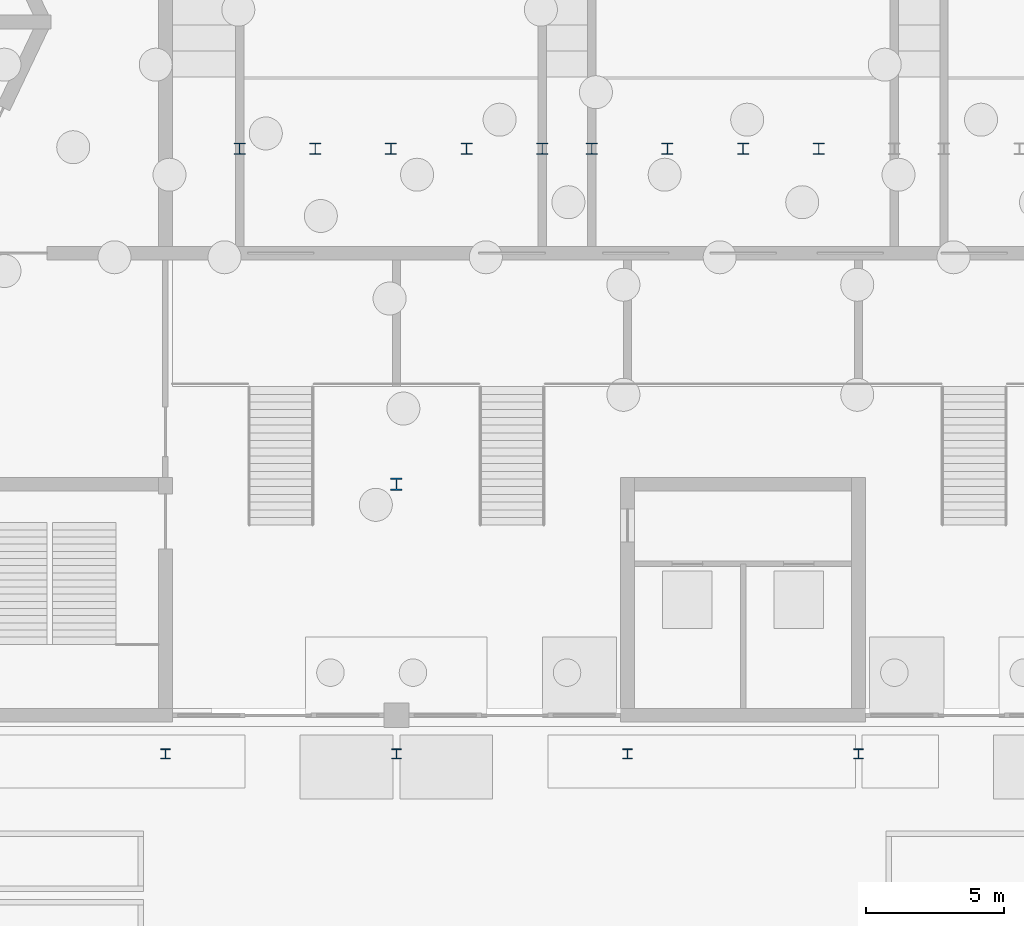
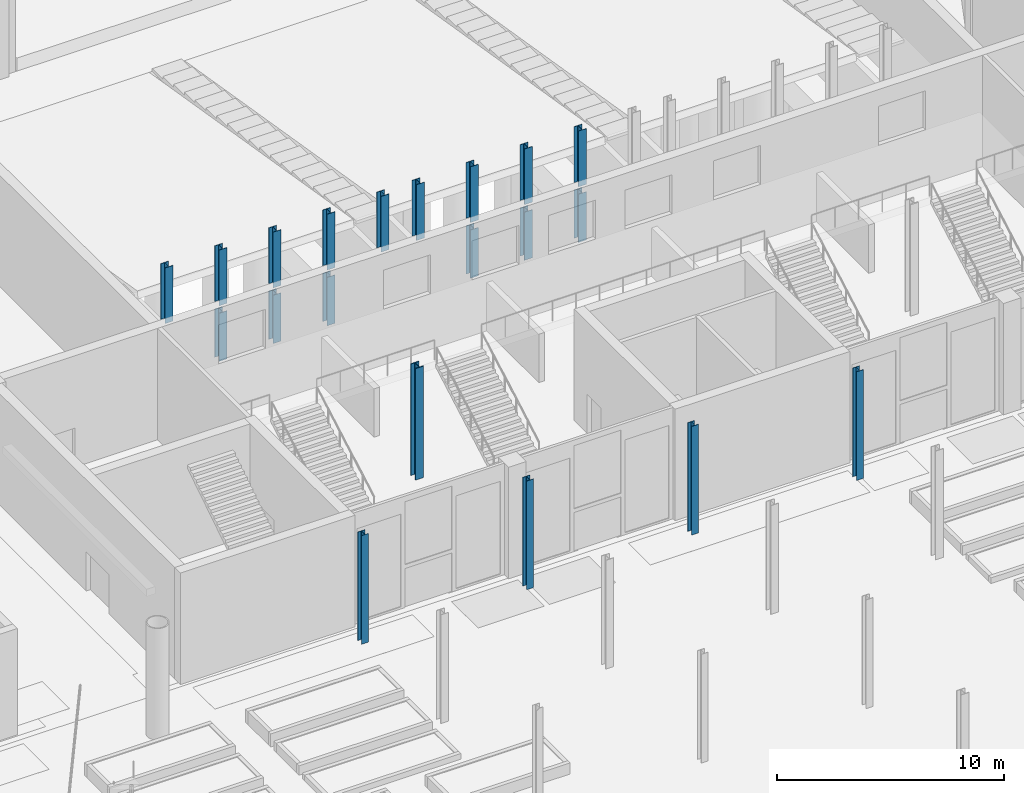
# One storey, part 24 of 108: 20 columns.
"""IFC4 building model written with IfcOpenShell, lengths in metres."""

from ifc_helpers import new_model, si_unit, direction, frame, origin, origin_2d, place, context, subcontext, project, spatial, i_section, extrude, material, material_profile, profile_set, type_object, element, save


model = new_model("IFC4")

# Units and contexts
model_context = context("Model", 3, precision=1e-05, world=origin(), true_north=direction((0.0, 1.0)))
body_context = subcontext(model_context, "Body", "Model", "MODEL_VIEW")
ifc_project = project(units=[si_unit("LENGTHUNIT", "METRE"), si_unit("AREAUNIT", "SQUARE_METRE"), si_unit("VOLUMEUNIT", "CUBIC_METRE"), si_unit("PLANEANGLEUNIT", "RADIAN"), si_unit("MASSUNIT", "GRAM", prefix="KILO")], contexts=[model_context])

# Site, building, storey
site_placement = place(None, origin())
site = spatial("IfcSite", under=ifc_project, at=site_placement, CompositionType="ELEMENT")
building_placement = place(site_placement, origin())
building = spatial("IfcBuilding", under=site, at=building_placement, Name="Cresset Court Congress Hotel", CompositionType="ELEMENT")
storey_placement = place(building_placement, origin())
storey = spatial("IfcBuildingStorey", under=building, at=storey_placement, Name="L00", CompositionType="ELEMENT", Elevation=0.0)

# Columns
ifc_material_1 = material(Name="Structural steel Q355B", Category="steel")
ifc_material_profile_1 = material_profile(ifc_material_1, i_section(OverallWidth=0.39990234375, OverallDepth=0.39990234375, WebThickness=0.012939453125, FlangeThickness=0.02099609375, FilletRadius=0.02197265625, at=origin_2d()), Name="HW400x400x13x21")
ifc_profile_set_1 = profile_set([ifc_material_profile_1], Name="Structural steel Q355B")
column_type_1 = type_object("IfcColumnType", Name="Steel HW400x400x13x21 column", PredefinedType="COLUMN", material=ifc_profile_set_1)
for number, where, z_axis, x_axis, name in (
    (1, (69.89990234375, 79.39990234375, 3.0), (0.0, 0.0, 1.0), (1.0, 0.0, 0.0), "Column CC-K1"),
    (2, (72.64990234375, 79.39990234375, 3.0), (0.0, 0.0, 1.0), (1.0, 0.0, 0.0), "Column CC-K2"),
    (3, (75.39990234375, 79.39990234375, 3.0), (0.0, 0.0, 1.0), (1.0, 0.0, 0.0), "Column CC-K3"),
    (4, (78.14990234375, 79.39990234375, 3.0), (0.0, 0.0, 1.0), (1.0, 0.0, 0.0), "Column CC-K4"),
    (5, (80.89990234375, 79.39990234375, 3.0), (0.0, 0.0, 1.0), (1.0, 0.0, 0.0), "Column CC-K5"),
    (6, (82.699951171875, 79.39990234375, 3.0), (0.0, 0.0, 1.0), (1.0, 0.0, 0.0), "Column CC-K6"),
    (7, (85.449951171875, 79.39990234375, 3.0), (0.0, 0.0, 1.0), (1.0, 0.0, 0.0), "Column CC-K7"),
    (8, (88.199951171875, 79.39990234375, 3.0), (0.0, 0.0, 1.0), (1.0, 0.0, 0.0), "Column CC-K8"),
    (9, (90.949951171875, 79.39990234375, 3.0), (0.0, 0.0, 1.0), (1.0, 0.0, 0.0), "Column CC-K9"),
):
    element("IfcColumn", number, at=place(storey_placement, frame(where, z_axis=z_axis, x_axis=x_axis)), inside=storey, type_object=column_type_1, Name=name, PredefinedType="COLUMN", context=body_context, shape_type="SweptSolid", body=[
        extrude(i_section(OverallWidth=0.39990234375, OverallDepth=0.39990234375, WebThickness=0.012939453125, FlangeThickness=0.02099609375, FilletRadius=0.02197265625, at=origin_2d()), origin(), (0.0, 0.0, 1.0), 3.0),
    ])
for number, where, z_axis, x_axis, name in (
    (10, (72.64990234375, 79.39990234375, 0.0), (0.0, 0.0, 1.0), (1.0, 0.0, 0.0), "Column CC-K2"),
    (11, (75.39990234375, 79.39990234375, 0.0), (0.0, 0.0, 1.0), (1.0, 0.0, 0.0), "Column CC-K3"),
    (12, (78.14990234375, 79.39990234375, 0.0), (0.0, 0.0, 1.0), (1.0, 0.0, 0.0), "Column CC-K4"),
    (13, (85.449951171875, 79.39990234375, 0.0), (0.0, 0.0, 1.0), (1.0, 0.0, 0.0), "Column CC-K7"),
    (14, (88.199951171875, 79.39990234375, 0.0), (0.0, 0.0, 1.0), (1.0, 0.0, 0.0), "Column CC-K8"),
    (15, (90.949951171875, 79.39990234375, 0.0), (0.0, 0.0, 1.0), (1.0, 0.0, 0.0), "Column CC-K9"),
):
    element("IfcColumn", number, at=place(storey_placement, frame(where, z_axis=z_axis, x_axis=x_axis)), inside=storey, type_object=column_type_1, Name=name, PredefinedType="COLUMN", context=body_context, shape_type="SweptSolid", body=[
        extrude(i_section(OverallWidth=0.39990234375, OverallDepth=0.39990234375, WebThickness=0.012939453125, FlangeThickness=0.02099609375, FilletRadius=0.02197265625, at=origin_2d()), origin(), (0.0, 0.0, 1.0), 2.60009765625),
    ])
ifc_material_2 = material(Name="Structural steel Q355B", Category="steel")
ifc_material_profile_2 = material_profile(ifc_material_2, i_section(OverallWidth=0.4169921875, OverallDepth=0.4580078125, WebThickness=0.030029296875, FlangeThickness=0.050048828125, FilletRadius=0.02197265625, at=origin_2d()), Name="HW458x417x30x50")
ifc_profile_set_2 = profile_set([ifc_material_profile_2], Name="Structural steel Q355B")
column_type_2 = type_object("IfcColumnType", Name="Steel HW458x417x30x50 lower column", PredefinedType="COLUMN", material=ifc_profile_set_2)
column_placement = place(storey_placement, frame((75.60009765625, 67.199951171875, 0.0), z_axis=(0.0, 0.0, 1.0), x_axis=(1.0, 0.0, 0.0)))
element("IfcColumn", 16, at=column_placement, inside=storey, type_object=column_type_2, Name="Column CC-F75", PredefinedType="COLUMN", context=body_context, shape_type="SweptSolid", body=[
    extrude(i_section(OverallWidth=0.4169921875, OverallDepth=0.4580078125, WebThickness=0.030029296875, FlangeThickness=0.050048828125, FilletRadius=0.02197265625, at=origin_2d()), origin(), (0.0, 0.0, 1.0), 6.0),
])
ifc_material_3 = material(Name="Structural steel Q355B", Category="steel")
ifc_material_profile_3 = material_profile(ifc_material_3, i_section(OverallWidth=0.35009765625, OverallDepth=0.35009765625, WebThickness=0.011962890625, FlangeThickness=0.01904296875, FilletRadius=0.012939453125, at=origin_2d()), Name="HW350x350x12x19")
ifc_profile_set_3 = profile_set([ifc_material_profile_3], Name="Structural steel Q355B")
column_type_3 = type_object("IfcColumnType", Name="Steel column HW350x350x12x19", PredefinedType="COLUMN", material=ifc_profile_set_3)
for number, where, z_axis, x_axis, name in (
    (17, (67.199951171875, 57.39990234375, 0.0), (0.0, 0.0, 1.0), (1.0, 0.0, 0.0), "Deck column H21"),
    (18, (75.60009765625, 57.39990234375, 0.0), (0.0, 0.0, 1.0), (1.0, 0.0, 0.0), "Deck column H22"),
    (19, (84.0, 57.39990234375, 0.0), (0.0, 0.0, 1.0), (1.0, 0.0, 0.0), "Deck column H23"),
    (20, (92.39990234375, 57.39990234375, 0.0), (0.0, 0.0, 1.0), (1.0, 0.0, 0.0), "Deck column H24"),
):
    element("IfcColumn", number, at=place(storey_placement, frame(where, z_axis=z_axis, x_axis=x_axis)), inside=storey, type_object=column_type_3, Name=name, PredefinedType="COLUMN", context=body_context, shape_type="SweptSolid", body=[
        extrude(i_section(OverallWidth=0.35009765625, OverallDepth=0.35009765625, WebThickness=0.011962890625, FlangeThickness=0.01904296875, FilletRadius=0.012939453125, at=origin_2d()), origin(), (0.0, 0.0, 1.0), 5.85009765625),
    ])

save(model, "model.ifc")
